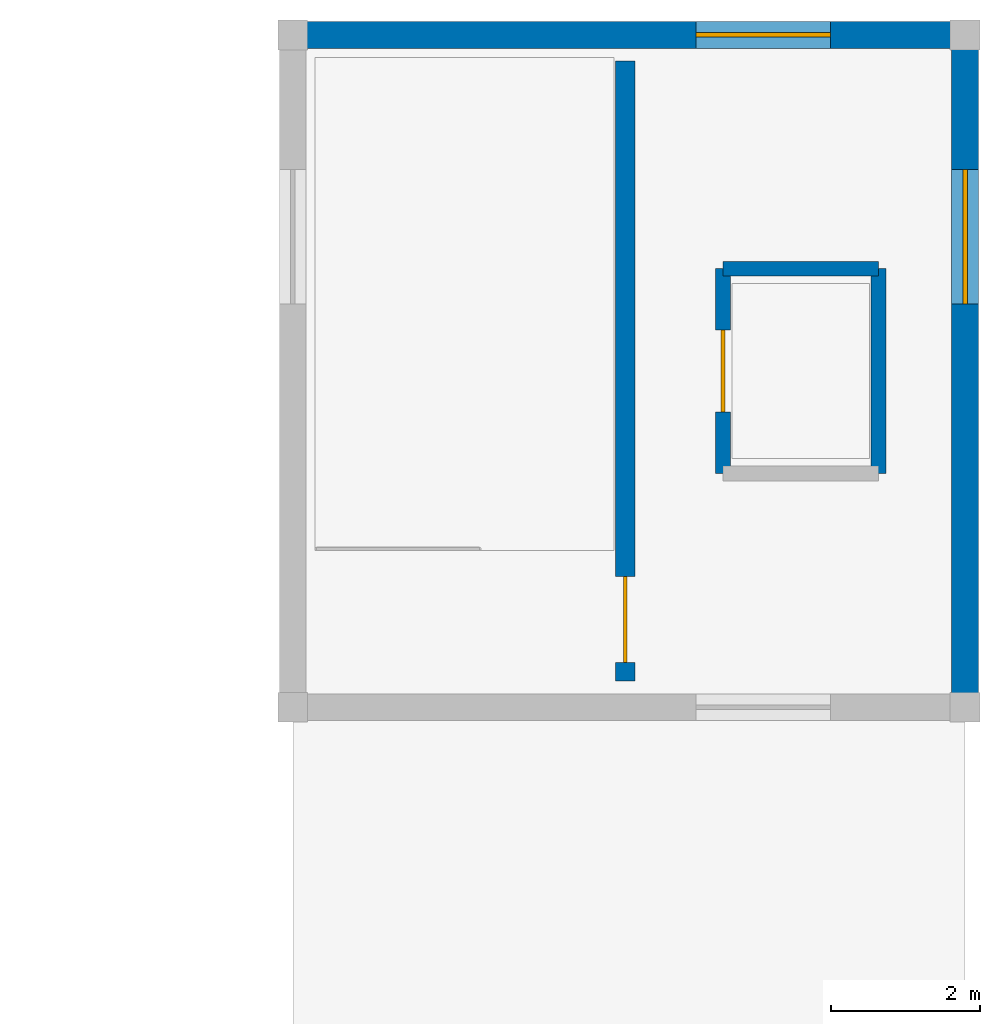
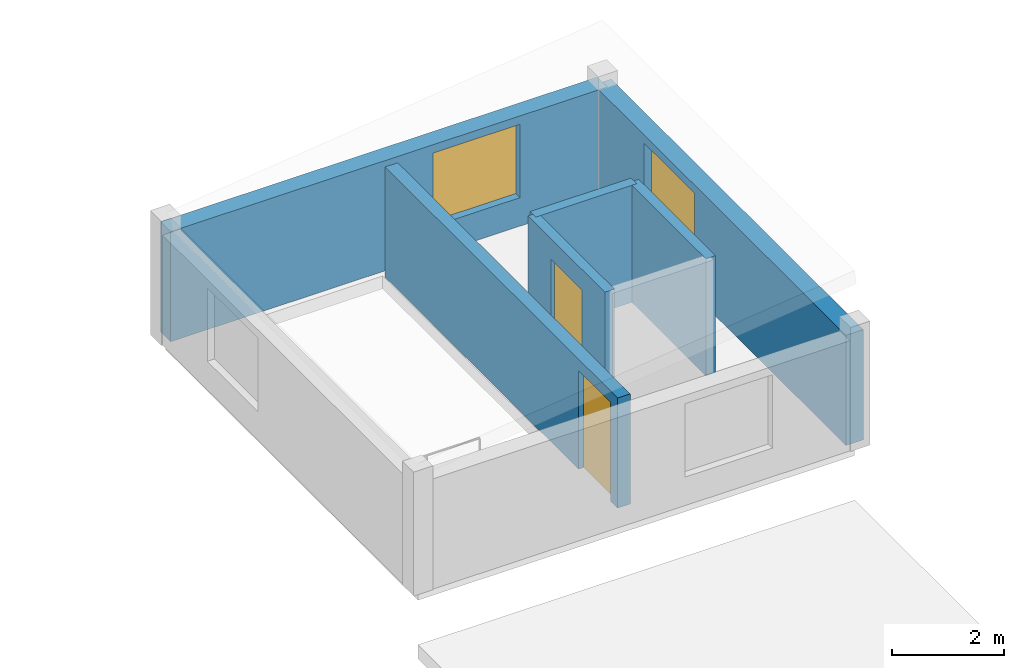
# One storey, part 6 of 7: 6 walls, 2 doors, 2 windows, 4 openings.
"""IFC4 building model written with IfcOpenShell, lengths in metres."""

from ifc_helpers import new_model, si_unit, direction, frame, frame_2d, origin, place, context, subcontext, project, spatial, rectangle, extrude, material, layer, layer_set, type_object, element, fill, save


model = new_model("IFC4")

# Units and contexts
model_context = context("Model", 3, precision=1e-05, world=origin(), true_north=direction((0.0, 1.0)))
body_context = subcontext(model_context, "Body", "Model", "MODEL_VIEW")
ifc_project = project(units=[si_unit("LENGTHUNIT", "METRE"), si_unit("AREAUNIT", "SQUARE_METRE"), si_unit("VOLUMEUNIT", "CUBIC_METRE"), si_unit("PLANEANGLEUNIT", "RADIAN"), si_unit("MASSUNIT", "GRAM", prefix="KILO")], contexts=[model_context])

# Site, building, storey
site_placement = place(None, origin())
site = spatial("IfcSite", under=ifc_project, at=site_placement, CompositionType="ELEMENT")
building_placement = place(site_placement, origin())
building = spatial("IfcBuilding", under=site, at=building_placement, Name="Ornek Quay Market", CompositionType="ELEMENT")
storey_placement = place(building_placement, frame((0.0, 0.0, 16.64990234375)))
storey = spatial("IfcBuildingStorey", under=building, at=storey_placement, Name="ROOF", CompositionType="ELEMENT", Elevation=16.64990234375)

# Wall, opening, door
ifc_material_1 = material(Name="Concrete C40/50", Category="concrete")
ifc_layer_1 = layer(ifc_material_1, 0.260009765625, Name="Concrete C40/50", Category="concrete")
ifc_layer_set_1 = layer_set([ifc_layer_1], Name="Concrete C40/50")
wall_type_1 = type_object("IfcWallType", Name="WL-CORE-260", PredefinedType="SHEAR", material=ifc_layer_set_1)
wall_1_placement = place(storey_placement, frame((175.449951171875, 92.35009765625, 0.0), z_axis=(0.0, 0.0, 1.0), x_axis=(0.0, 1.0, 0.0)))
wall_1 = element("IfcWall", 1, at=wall_1_placement, inside=storey, type_object=wall_type_1, Name="Interior wall W-CORE2-152", PredefinedType="SHEAR", context=body_context, shape_type="SweptSolid", body=[
    extrude(rectangle(XDim=8.2998046875, YDim=0.260009765625, at=frame_2d((4.14990234375, 0.0))), origin(), (0.0, 0.0, 1.0), 2.400146484375),
])
opening_1_placement = place(wall_1_placement, frame((0.25, 0.0, 0.0)))
opening_1 = element("IfcOpeningElement", 2, at=opening_1_placement, cuts=wall_1, Name="Opening FD-03-058", PredefinedType="OPENING", context=body_context, shape_type="SweptSolid", body=[
    extrude(rectangle(XDim=1.14990234375, YDim=2.14990234375, at=frame_2d((0.574951171875, 1.074951171875))), frame((0.0, 0.139892578125, 0.0), z_axis=(0.0, -1.0, 0.0), x_axis=(1.0, 0.0, 0.0)), (0.0, 0.0, 1.0), 0.280029296875),
])
ifc_material_2 = material(Name="Insulated fire-rated painted steel", Category="steel")
door_type_1 = type_object("IfcDoorType", Name="DR-FIRE-STAIR-1150x2150", OperationType="NOTDEFINED", PredefinedType="DOOR", material=ifc_material_2)
door_1_placement = place(opening_1_placement, origin())
door_1 = element("IfcDoor", 3, at=door_1_placement, inside=storey, type_object=door_type_1, Name="Interior door FD-03-058", OperationType="SINGLE_SWING_LEFT", OverallHeight=2.14990234375, OverallWidth=1.14990234375, PredefinedType="DOOR", context=body_context, shape_type="SweptSolid", body=[
    extrude(rectangle(XDim=1.14990234375, YDim=2.14990234375, at=frame_2d((0.574951171875, 1.074951171875))), frame((0.0, 0.02490234375, 0.0), z_axis=(0.0, -1.0, 0.0), x_axis=(1.0, 0.0, 0.0)), (0.0, 0.0, 1.0), 0.050048828125),
])
fill(opening_1, door_1)

# Wall, opening, window
ifc_material_3 = material(Name="Frost-resistant facing clay brick M200 F100", Category="masonry")
ifc_layer_2 = layer(ifc_material_3, 0.360107421875, Name="Frost-resistant facing clay brick M200 F100", Category="masonry")
ifc_layer_set_2 = layer_set([ifc_layer_2], Name="Frost-resistant facing clay brick M200 F100")
wall_type_2 = type_object("IfcWallType", Name="WL-EXT-FC-360", PredefinedType="STANDARD", material=ifc_layer_set_2)
wall_2_placement = place(storey_placement, frame((171.0, 101.0, 0.0), z_axis=(0.0, 0.0, 1.0), x_axis=(1.0, 0.0, 0.0)))
wall_2 = element("IfcWall", 4, at=wall_2_placement, inside=storey, type_object=wall_type_2, Name="Exterior wall EW-183", PredefinedType="STANDARD", context=body_context, shape_type="SweptSolid", body=[
    extrude(rectangle(XDim=9.0, YDim=0.360107421875, at=frame_2d((4.5, 0.0))), origin(), (0.0, 0.0, 1.0), 2.400146484375),
])
opening_2_placement = place(wall_2_placement, frame((5.39990234375, 0.0, 0.6201171875)))
opening_2 = element("IfcOpeningElement", 5, at=opening_2_placement, cuts=wall_2, Name="Opening W-15-151", PredefinedType="OPENING", context=body_context, shape_type="SweptSolid", body=[
    extrude(rectangle(XDim=1.800048828125, YDim=1.60009765625, at=frame_2d((0.89990234375, 0.800048828125))), frame((0.0, 0.18994140625, 0.0), z_axis=(0.0, -1.0, 0.0), x_axis=(1.0, 0.0, 0.0)), (0.0, 0.0, 1.0), 0.380126953125),
])
ifc_material_4 = material(Name="Thermally broken bronze aluminium and triple low-e glass", Category="aluminium")
window_type = type_object("IfcWindowType", Name="WN-OFF-1800x1600", PartitioningType="DOUBLE_PANEL_VERTICAL", PredefinedType="WINDOW", material=ifc_material_4)
window_1_placement = place(opening_2_placement, origin())
window_1 = element("IfcWindow", 6, at=window_1_placement, inside=storey, type_object=window_type, Name="Window W-15-151", OverallHeight=1.60009765625, OverallWidth=1.800048828125, PartitioningType="SINGLE_PANEL", PredefinedType="WINDOW", context=body_context, shape_type="SweptSolid", body=[
    extrude(rectangle(XDim=1.800048828125, YDim=1.60009765625, at=frame_2d((0.89990234375, 0.800048828125))), frame((0.0, 0.030029296875, 0.0), z_axis=(0.0, -1.0, 0.0), x_axis=(1.0, 0.0, 0.0)), (0.0, 0.0, 1.0), 0.06005859375),
])
fill(opening_2, window_1)

wall_3_placement = place(storey_placement, frame((180.0, 92.0, 0.0), z_axis=(0.0, 0.0, 1.0), x_axis=(0.0, 1.0, 0.0)))
wall_3 = element("IfcWall", 7, at=wall_3_placement, inside=storey, type_object=wall_type_2, Name="Exterior wall EW-185", PredefinedType="STANDARD", context=body_context, shape_type="SweptSolid", body=[
    extrude(rectangle(XDim=9.0, YDim=0.360107421875, at=frame_2d((4.5, 0.0))), origin(), (0.0, 0.0, 1.0), 2.400146484375),
])
opening_3_placement = place(wall_3_placement, frame((5.39990234375, 0.0, 0.6201171875)))
opening_3 = element("IfcOpeningElement", 8, at=opening_3_placement, cuts=wall_3, Name="Opening W-15-153", PredefinedType="OPENING", context=body_context, shape_type="SweptSolid", body=[
    extrude(rectangle(XDim=1.800048828125, YDim=1.60009765625, at=frame_2d((0.89990234375, 0.800048828125))), frame((0.0, 0.18994140625, 0.0), z_axis=(0.0, -1.0, 0.0), x_axis=(1.0, 0.0, 0.0)), (0.0, 0.0, 1.0), 0.380126953125),
])
window_2_placement = place(opening_3_placement, origin())
window_2 = element("IfcWindow", 9, at=window_2_placement, inside=storey, type_object=window_type, Name="Window W-15-153", OverallHeight=1.60009765625, OverallWidth=1.800048828125, PartitioningType="SINGLE_PANEL", PredefinedType="WINDOW", context=body_context, shape_type="SweptSolid", body=[
    extrude(rectangle(XDim=1.800048828125, YDim=1.60009765625, at=frame_2d((0.89990234375, 0.800048828125))), frame((0.0, 0.030029296875, 0.0), z_axis=(0.0, -1.0, 0.0), x_axis=(1.0, 0.0, 0.0)), (0.0, 0.0, 1.0), 0.06005859375),
])
fill(opening_3, window_2)

# Wall, opening, door
ifc_material_5 = material(Name="Concrete C35/45", Category="concrete")
ifc_layer_3 = layer(ifc_material_5, 0.199951171875, Name="Concrete C35/45", Category="concrete")
ifc_layer_set_3 = layer_set([ifc_layer_3], Name="Concrete C35/45")
wall_type_3 = type_object("IfcWallType", Name="WL-SHAFT-200", PredefinedType="SOLIDWALL", material=ifc_layer_set_3)
wall_4_placement = place(storey_placement, frame((176.760009765625, 95.1298828125, 0.0), z_axis=(0.0, 0.0, 1.0), x_axis=(0.0, 1.0, 0.0)))
wall_4 = element("IfcWall", 10, at=wall_4_placement, inside=storey, type_object=wall_type_3, Name="Interior wall W-CORE3-153", PredefinedType="SOLIDWALL", context=body_context, shape_type="SweptSolid", body=[
    extrude(rectangle(XDim=2.740234375, YDim=0.199951171875, at=frame_2d((1.3701171875, 0.0))), origin(), (0.0, 0.0, 1.0), 2.550048828125),
])
opening_4_placement = place(wall_4_placement, frame((0.820068359375, 0.0, 0.0)))
opening_4 = element("IfcOpeningElement", 11, at=opening_4_placement, cuts=wall_4, Name="Opening LD-01-059", PredefinedType="OPENING", context=body_context, shape_type="SweptSolid", body=[
    extrude(rectangle(XDim=1.10009765625, YDim=2.10009765625, at=frame_2d((0.550048828125, 1.050048828125))), frame((0.0, 0.10986328125, 0.0), z_axis=(0.0, -1.0, 0.0), x_axis=(1.0, 0.0, 0.0)), (0.0, 0.0, 1.0), 0.219970703125),
])
ifc_material_6 = material(Name="Brushed stainless steel landing door", Category="steel")
door_type_2 = type_object("IfcDoorType", Name="DR-LIFT-1100x2100", OperationType="SLIDING_TO_LEFT", PredefinedType="DOOR", material=ifc_material_6)
door_2_placement = place(opening_4_placement, origin())
door_2 = element("IfcDoor", 12, at=door_2_placement, inside=storey, type_object=door_type_2, Name="Interior door LD-01-059", OperationType="SLIDING_TO_LEFT", OverallHeight=2.10009765625, OverallWidth=1.10009765625, PredefinedType="DOOR", context=body_context, shape_type="SweptSolid", body=[
    extrude(rectangle(XDim=1.10009765625, YDim=2.10009765625, at=frame_2d((0.550048828125, 1.050048828125))), frame((0.0, 0.02490234375, 0.0), z_axis=(0.0, -1.0, 0.0), x_axis=(1.0, 0.0, 0.0)), (0.0, 0.0, 1.0), 0.050048828125),
])
fill(opening_4, door_2)

# Walls
wall_5_placement = place(storey_placement, frame((176.760009765625, 97.8701171875, 0.0), z_axis=(0.0, 0.0, 1.0), x_axis=(1.0, 0.0, 0.0)))
element("IfcWall", 13, at=wall_5_placement, inside=storey, type_object=wall_type_3, Name="Interior wall W-CORE3-155", PredefinedType="SOLIDWALL", context=body_context, shape_type="SweptSolid", body=[
    extrude(rectangle(XDim=2.080078125, YDim=0.199951171875, at=frame_2d((1.0400390625, 0.0))), origin(), (0.0, 0.0, 1.0), 2.550048828125),
])
wall_6_placement = place(storey_placement, frame((178.840087890625, 95.1298828125, 0.0), z_axis=(0.0, 0.0, 1.0), x_axis=(0.0, 1.0, 0.0)))
element("IfcWall", 14, at=wall_6_placement, inside=storey, type_object=wall_type_3, Name="Interior wall W-CORE3-156", PredefinedType="SOLIDWALL", context=body_context, shape_type="SweptSolid", body=[
    extrude(rectangle(XDim=2.740234375, YDim=0.199951171875, at=frame_2d((1.3701171875, 0.0))), origin(), (0.0, 0.0, 1.0), 2.550048828125),
])

save(model, "model.ifc")
